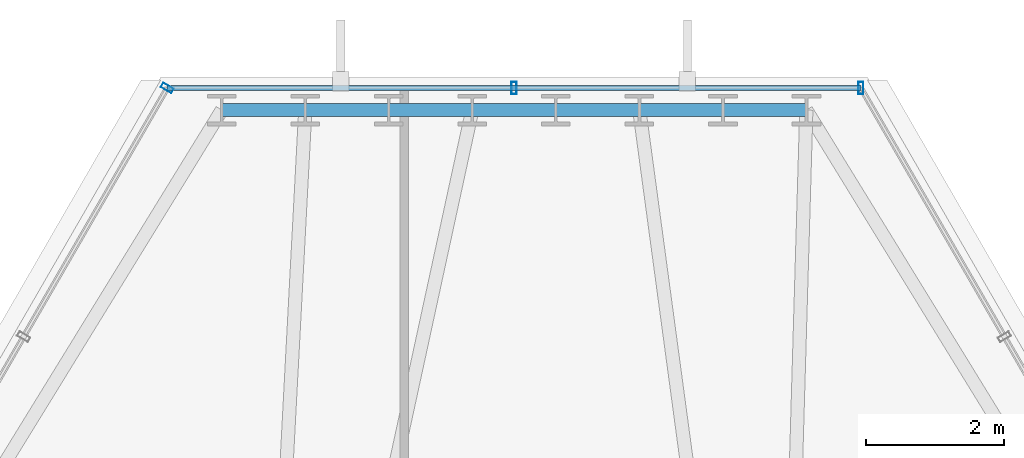
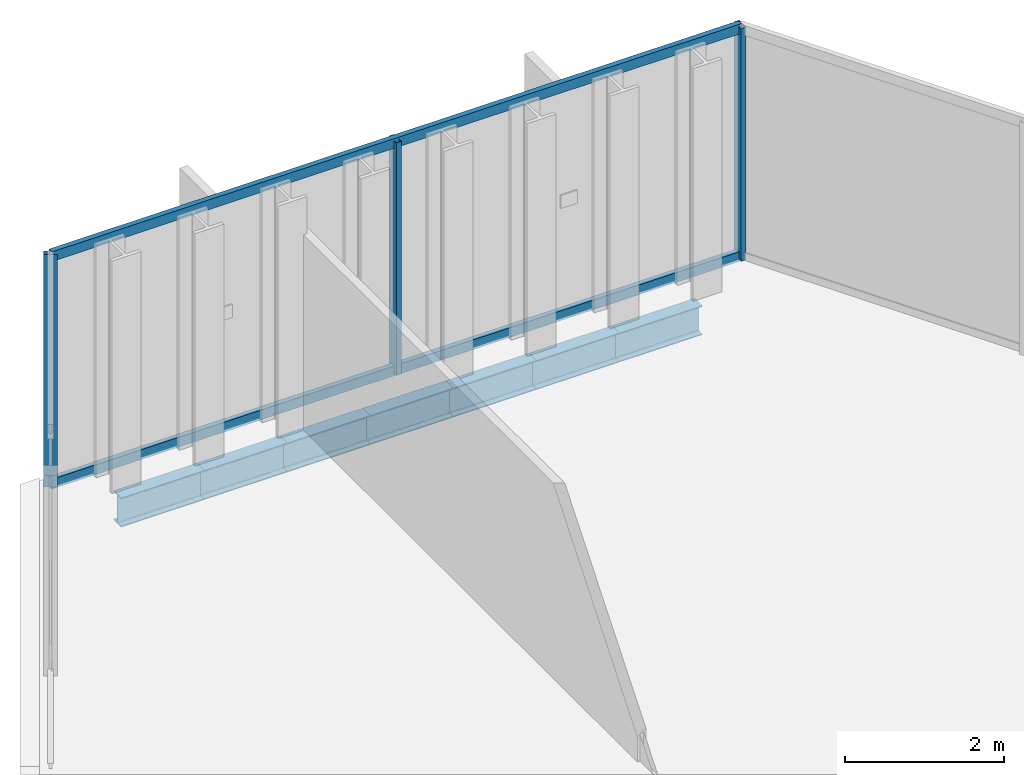
# One storey, part 25 of 35: 7 beams, 5 members, 2 elements without a shape of their own.
"""IFC4 building model written with IfcOpenShell, lengths in metres."""

from ifc_helpers import new_model, si_unit, direction, frame, origin, origin_2d, place, context, subcontext, project, spatial, hollow_rectangle, i_section, extrude, material, layer, layer_set, material_profile, profile_set, type_object, element, aggregate, save


model = new_model("IFC4")

# Units and contexts
model_context = context("Model", 3, precision=1e-05, world=origin(), true_north=direction((0.0, 1.0)))
body_context = subcontext(model_context, "Body", "Model", "MODEL_VIEW")
ifc_project = project(units=[si_unit("LENGTHUNIT", "METRE"), si_unit("AREAUNIT", "SQUARE_METRE"), si_unit("VOLUMEUNIT", "CUBIC_METRE"), si_unit("PLANEANGLEUNIT", "RADIAN"), si_unit("MASSUNIT", "GRAM", prefix="KILO")], contexts=[model_context])

# Site, building, storey
site_placement = place(None, origin())
site = spatial("IfcSite", under=ifc_project, at=site_placement, CompositionType="ELEMENT")
building_placement = place(site_placement, origin())
building = spatial("IfcBuilding", under=site, at=building_placement, Name="Ndaravel Arena Tower", CompositionType="ELEMENT")
storey_placement = place(building_placement, frame((0.0, 0.0, 172.60009765625)))
storey = spatial("IfcBuildingStorey", under=building, at=storey_placement, Name="L41", CompositionType="ELEMENT", Elevation=172.60009765625)

# Beams
ifc_material_1 = material(Name="Steel S355", Category="steel")
ifc_material_profile_1 = material_profile(ifc_material_1, i_section(OverallWidth=0.18994140625, OverallDepth=0.449951171875, WebThickness=0.009521484375, FlangeThickness=0.0146484375, FilletRadius=0.02099609375, at=origin_2d()), Name="IPE 450")
ifc_profile_set_1 = profile_set([ifc_material_profile_1], Name="Steel S355")
beam_type = type_object("IfcBeamType", Name="BM-SPAN-IPE450", PredefinedType="SPANDREL", material=ifc_profile_set_1)
for number, where, z_axis, x_axis, name in (
    (1, (46.229736328125, 45.92822265625, -0.445068359375), (-1.0, 0.0, 0.0), (0.0, -1.0, 0.0), "L41 Perimeter Spandrel Beam SP-11"),
    (2, (45.021240234375, 45.92822265625, -0.445068359375), (-1.0, 0.0, 0.0), (0.0, -1.0, 0.0), "L41 Perimeter Spandrel Beam SP-12"),
    (3, (43.812744140625, 45.92822265625, -0.445068359375), (-1.0, 0.0, 0.0), (0.0, -1.0, 0.0), "L41 Perimeter Spandrel Beam SP-13"),
    (4, (42.604248046875, 45.92822265625, -0.445068359375), (-1.0, 0.0, 0.0), (0.0, -1.0, 0.0), "L41 Perimeter Spandrel Beam SP-14"),
    (5, (41.395751953125, 45.92822265625, -0.445068359375), (-1.0, 0.0, 0.0), (0.0, -1.0, 0.0), "L41 Perimeter Spandrel Beam SP-15"),
    (6, (40.187255859375, 45.92822265625, -0.445068359375), (-1.0, 0.0, 0.0), (0.0, -1.0, 0.0), "L41 Perimeter Spandrel Beam SP-16"),
    (7, (38.978759765625, 45.92822265625, -0.445068359375), (-1.0, 0.0, 0.0), (0.0, -1.0, 0.0), "L41 Perimeter Spandrel Beam SP-17"),
):
    element("IfcBeam", number, at=place(storey_placement, frame(where, z_axis=z_axis, x_axis=x_axis)), inside=storey, type_object=beam_type, Name=name, PredefinedType="SPANDREL", context=body_context, shape_type="SweptSolid", body=[
        extrude(i_section(OverallWidth=0.18994140625, OverallDepth=0.449951171875, WebThickness=0.009521484375, FlangeThickness=0.0146484375, FilletRadius=0.02099609375, at=origin_2d()), origin(), (0.0, 0.0, 1.0), 1.20849609375),
    ])

# Curtain wall, members
ifc_material_2 = material(Name="Aluminium", Category="aluminium")
ifc_layer_1 = layer(ifc_material_2, 0.179931640625)
ifc_layer_set_1 = layer_set([ifc_layer_1], Name="Aluminium")
curtain_wall_type_1 = type_object("IfcCurtainWallType", Name="CW-SYS-01", PredefinedType="NOTDEFINED", material=ifc_layer_set_1)
curtain_wall_1_placement = place(storey_placement, origin())
curtain_wall_1 = element("IfcCurtainWall", 8, at=curtain_wall_1_placement, inside=storey, type_object=curtain_wall_type_1, Name="L41 Faceted Crystal Curtain Wall CW-L41-E04", PredefinedType="NOTDEFINED")
ifc_material_3 = material(Name="Aluminium", Category="aluminium")
ifc_material_profile_2 = material_profile(ifc_material_3, hollow_rectangle(XDim=0.074951171875, YDim=0.179931640625, WallThickness=0.00390625, at=origin_2d()), Name="CW MULLION 75x180x4")
ifc_profile_set_2 = profile_set([ifc_material_profile_2], Name="Aluminium")
member_type_1 = type_object("IfcMemberType", Name="MEM-CW-MUL180", PredefinedType="MULLION", material=ifc_profile_set_2)
member_1_placement = place(storey_placement, frame((47.018798828125, 46.248291015625, 0.0), z_axis=(0.0, 0.0, 1.0), x_axis=(-1.0, 0.0, 0.0)))
member_1 = element("IfcMember", 9, at=member_1_placement, type_object=member_type_1, Name="CW-L41-E04 Mullion 00", PredefinedType="MULLION", context=body_context, shape_type="SweptSolid", body=[
    extrude(hollow_rectangle(XDim=0.074951171875, YDim=0.179931640625, WallThickness=0.00390625, at=origin_2d()), origin(), (0.0, 0.0, 1.0), 3.579833984375),
])
member_2_placement = place(storey_placement, frame((42.0, 46.248291015625, 0.0), z_axis=(0.0, 0.0, 1.0), x_axis=(-1.0, 0.0, 0.0)))
member_2 = element("IfcMember", 10, at=member_2_placement, type_object=member_type_1, Name="CW-L41-E04 Mullion 01", PredefinedType="MULLION", context=body_context, shape_type="SweptSolid", body=[
    extrude(hollow_rectangle(XDim=0.074951171875, YDim=0.179931640625, WallThickness=0.00390625, at=origin_2d()), origin(), (0.0, 0.0, 1.0), 3.579833984375),
])

# Curtain wall, member
ifc_material_4 = material(Name="Aluminium", Category="aluminium")
ifc_layer_2 = layer(ifc_material_4, 0.179931640625)
ifc_layer_set_2 = layer_set([ifc_layer_2], Name="Aluminium")
curtain_wall_type_2 = type_object("IfcCurtainWallType", Name="CW-SYS-03", PredefinedType="NOTDEFINED", material=ifc_layer_set_2)
curtain_wall_2_placement = place(storey_placement, origin())
curtain_wall_2 = element("IfcCurtainWall", 11, at=curtain_wall_2_placement, inside=storey, type_object=curtain_wall_type_2, Name="L41 Faceted Crystal Curtain Wall CW-L41-E05", PredefinedType="NOTDEFINED")
member_3_placement = place(storey_placement, frame((36.981201171875, 46.248291015625, 0.0), z_axis=(0.0, 0.0, 1.0), x_axis=(-0.5, -0.866025403784, 0.0)))
member_3 = element("IfcMember", 12, at=member_3_placement, type_object=member_type_1, Name="CW-L41-E05 Mullion 00", PredefinedType="MULLION", context=body_context, shape_type="SweptSolid", body=[
    extrude(hollow_rectangle(XDim=0.074951171875, YDim=0.179931640625, WallThickness=0.00390625, at=origin_2d()), origin(), (0.0, 0.0, 1.0), 3.579833984375),
])
aggregate(curtain_wall_2, [member_3])

# Member
ifc_material_5 = material(Name="Aluminium", Category="aluminium")
ifc_material_profile_3 = material_profile(ifc_material_5, hollow_rectangle(XDim=0.074951171875, YDim=0.14990234375, WallThickness=0.00390625, at=origin_2d()), Name="CW TRANSOM 75x150x4")
ifc_profile_set_3 = profile_set([ifc_material_profile_3], Name="Aluminium")
member_type_2 = type_object("IfcMemberType", Name="MEM-CW-TRN150", PredefinedType="USERDEFINED", material=ifc_profile_set_3)
member_4_placement = place(storey_placement, frame((47.018798828125, 46.248291015625, 0.039794921875), z_axis=(-1.0, 0.0, 0.0), x_axis=(0.0, -1.0, 0.0)))
member_4 = element("IfcMember", 13, at=member_4_placement, type_object=member_type_2, Name="CW-L41-E04 Transom 01", ObjectType="TRANSOM", PredefinedType="USERDEFINED", context=body_context, shape_type="SweptSolid", body=[
    extrude(hollow_rectangle(XDim=0.074951171875, YDim=0.14990234375, WallThickness=0.00390625, at=origin_2d()), origin(), (0.0, 0.0, 1.0), 10.03759765625),
])

member_5_placement = place(storey_placement, frame((47.018798828125, 46.248291015625, 3.539794921875), z_axis=(-1.0, 0.0, 0.0), x_axis=(0.0, -1.0, 0.0)))
member_5 = element("IfcMember", 14, at=member_5_placement, type_object=member_type_2, Name="CW-L41-E04 Transom 02", ObjectType="TRANSOM", PredefinedType="USERDEFINED", context=body_context, shape_type="SweptSolid", body=[
    extrude(hollow_rectangle(XDim=0.074951171875, YDim=0.14990234375, WallThickness=0.00390625, at=origin_2d()), origin(), (0.0, 0.0, 1.0), 10.03759765625),
])

aggregate(curtain_wall_1, [member_1, member_2, member_4, member_5])

save(model, "model.ifc")
